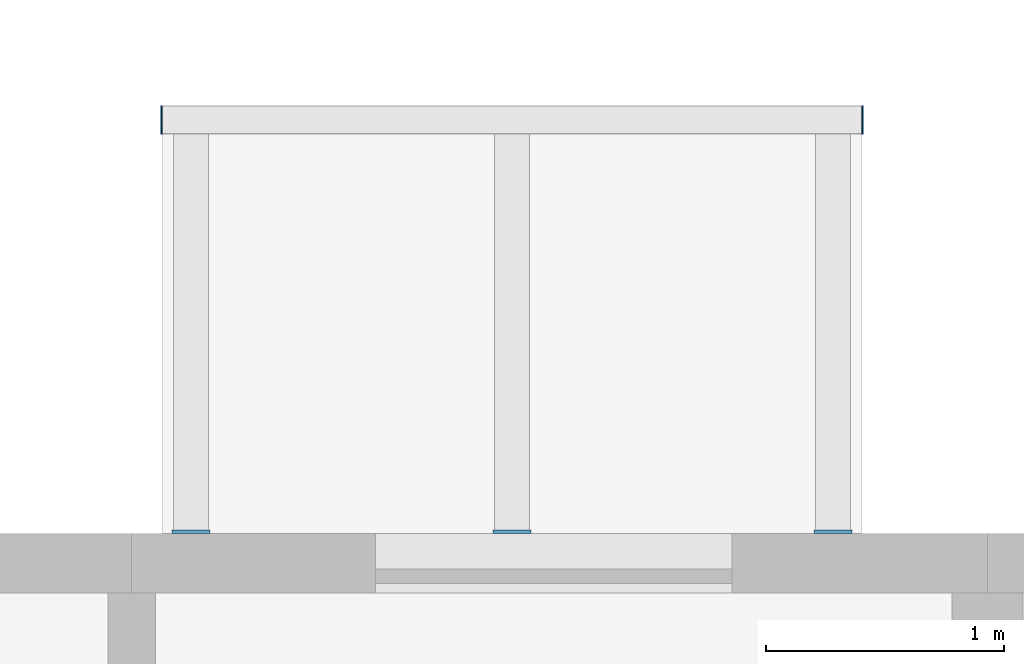
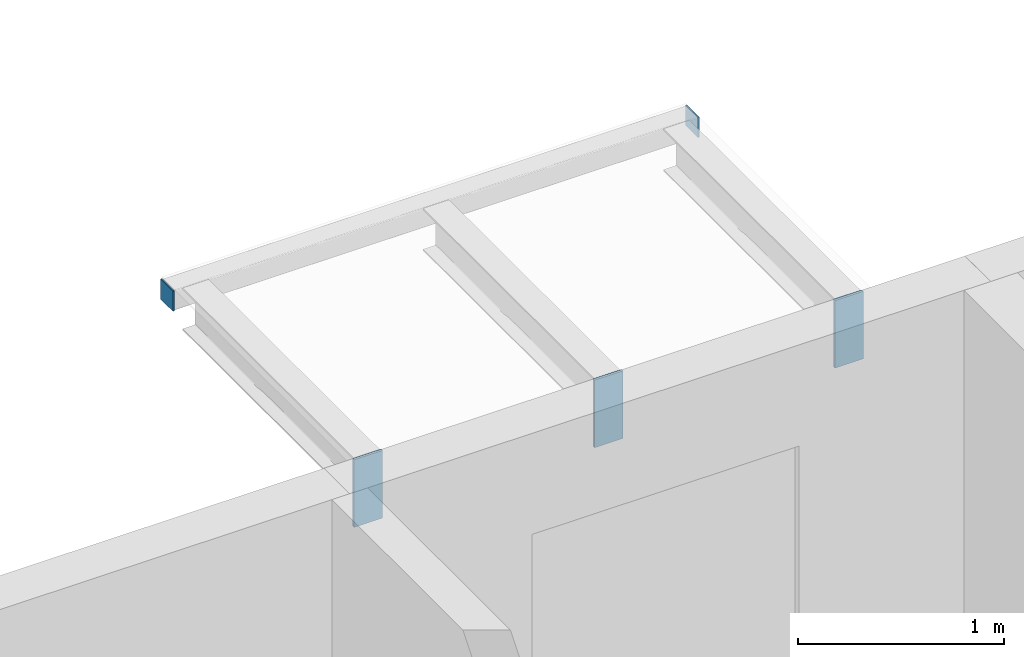
# One storey, part 73 of 99: 5 discrete accessories.
"""IFC4 building model written with IfcOpenShell, lengths in metres."""

from ifc_helpers import new_model, si_unit, direction, frame, origin, origin_2d, place, context, subcontext, project, spatial, rectangle, extrude, material, layer, layer_set, type_object, element, save


model = new_model("IFC4")

# Units and contexts
model_context = context("Model", 3, precision=1e-05, world=origin(), true_north=direction((0.0, 1.0)))
body_context = subcontext(model_context, "Body", "Model", "MODEL_VIEW")
ifc_project = project(units=[si_unit("LENGTHUNIT", "METRE"), si_unit("AREAUNIT", "SQUARE_METRE"), si_unit("VOLUMEUNIT", "CUBIC_METRE"), si_unit("PLANEANGLEUNIT", "RADIAN"), si_unit("MASSUNIT", "GRAM", prefix="KILO")], contexts=[model_context])

# Site, building, storey
site_placement = place(None, origin())
site = spatial("IfcSite", under=ifc_project, at=site_placement, CompositionType="ELEMENT")
building_placement = place(site_placement, origin())
building = spatial("IfcBuilding", under=site, at=building_placement, Name="Ridgestep Commons", CompositionType="ELEMENT")
storey_placement = place(building_placement, frame((0.0, 0.0, 15.0)))
storey = spatial("IfcBuildingStorey", under=building, at=storey_placement, Name="L05", CompositionType="ELEMENT", Elevation=15.0)

# Discrete accessories
ifc_material_1 = material(Name="Weathering steel S355J2W", Category="steel")
ifc_layer_1 = layer(ifc_material_1, 0.014892578125)
ifc_layer_set_1 = layer_set([ifc_layer_1], Name="Tray bracket plate 15")
discrete_accessory_type_1 = type_object("IfcDiscreteAccessoryType", Name="Tray bracket plate 15", PredefinedType="BRACKET", material=ifc_layer_set_1)
for number, where, z_axis, x_axis, name in (
    (1, (193.85009765625, 77.257568359375, 2.588623046875), (0.0, 0.0, 1.0), (1.0, 0.0, 0.0), "Tray bracket C3T1-06.1"),
    (2, (195.199951171875, 77.257568359375, 2.588623046875), (0.0, 0.0, 1.0), (1.0, 0.0, 0.0), "Tray bracket C3T1-06.2"),
    (3, (196.550048828125, 77.257568359375, 2.588623046875), (0.0, 0.0, 1.0), (1.0, 0.0, 0.0), "Tray bracket C3T1-06.3"),
):
    element("IfcDiscreteAccessory", number, at=place(storey_placement, frame(where, z_axis=z_axis, x_axis=x_axis)), inside=storey, type_object=discrete_accessory_type_1, Name=name, PredefinedType="BRACKET", context=body_context, shape_type="SweptSolid", body=[
        extrude(rectangle(XDim=0.159912109375, YDim=0.014892578125, at=origin_2d()), origin(), (0.0, 0.0, 1.0), 0.4013671875),
    ])
ifc_material_2 = material(Name="Weathering steel S355J2W", Category="steel")
ifc_layer_2 = layer(ifc_material_2, 0.008056640625)
ifc_layer_set_2 = layer_set([ifc_layer_2], Name="Tray edge member end plate 120 x 120 x 8")
discrete_accessory_type_2 = type_object("IfcDiscreteAccessoryType", Name="Tray edge member end plate 120 x 120 x 8", PredefinedType="BRACKET", material=ifc_layer_set_2)
for number, where, z_axis, x_axis, name in (
    (4, (193.72607421875, 78.989990234375, 2.869873046875), (0.0, 0.0, 1.0), (1.0, 0.0, 0.0), "Tray edge member end plate C3T1-06 west"),
    (5, (196.674072265625, 78.989990234375, 2.869873046875), (0.0, 0.0, 1.0), (1.0, 0.0, 0.0), "Tray edge member end plate C3T1-06 east"),
):
    element("IfcDiscreteAccessory", number, at=place(storey_placement, frame(where, z_axis=z_axis, x_axis=x_axis)), inside=storey, type_object=discrete_accessory_type_2, Name=name, PredefinedType="BRACKET", context=body_context, shape_type="SweptSolid", body=[
        extrude(rectangle(XDim=0.008056640625, YDim=0.1201171875, at=origin_2d()), origin(), (0.0, 0.0, 1.0), 0.1201171875),
    ])

save(model, "model.ifc")
